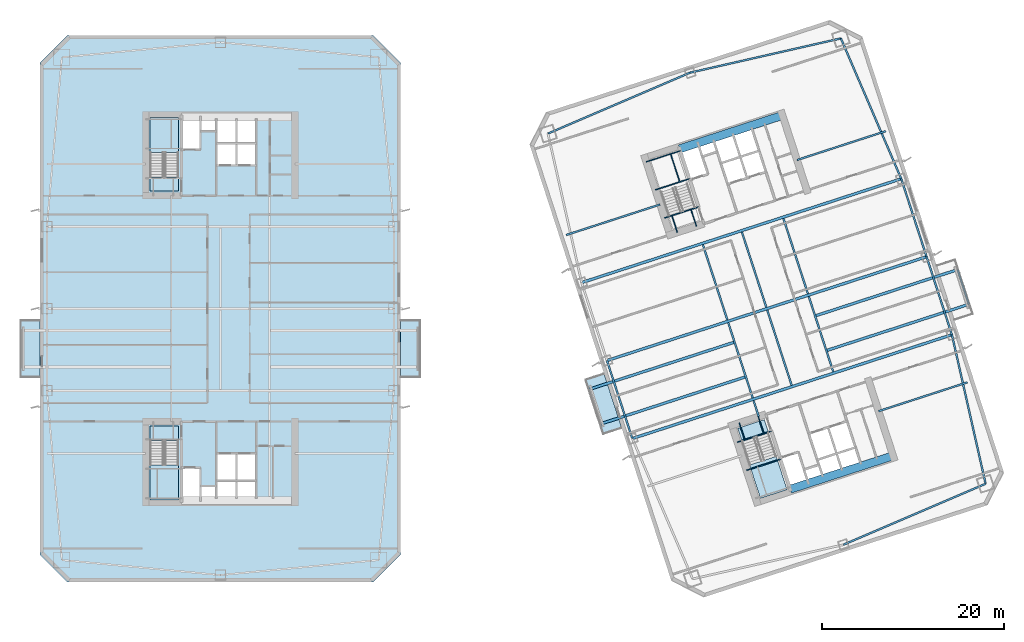
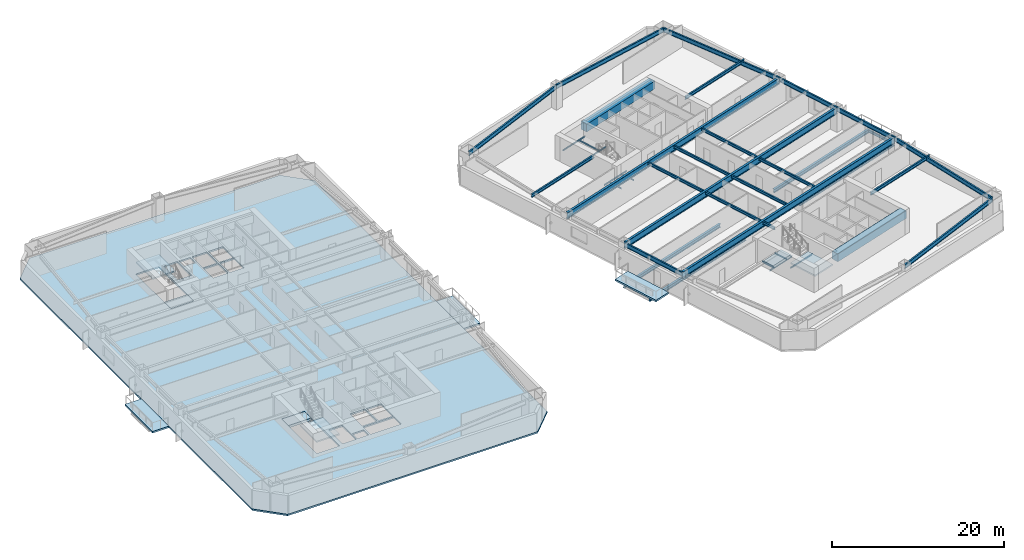
# One storey, part 2 of 18: 38 beams, 10 slabs, 3 elements without a shape of their own.
"""IFC4 building model written with IfcOpenShell, lengths in metres."""

from ifc_helpers import new_model, si_unit, direction, frame, origin, origin_2d, place, context, subcontext, project, spatial, polyline, rectangle, i_section, outline, extrude, material, layer, layer_set, material_profile, profile_set, type_object, element, aggregate, save


model = new_model("IFC4")

# Units and contexts
model_context = context("Model", 3, precision=1e-05, world=origin(), true_north=direction((0.0, 1.0)))
body_context = subcontext(model_context, "Body", "Model", "MODEL_VIEW")
ifc_project = project(units=[si_unit("LENGTHUNIT", "METRE"), si_unit("AREAUNIT", "SQUARE_METRE"), si_unit("VOLUMEUNIT", "CUBIC_METRE"), si_unit("PLANEANGLEUNIT", "RADIAN"), si_unit("MASSUNIT", "GRAM", prefix="KILO")], contexts=[model_context])

# Site, building, storey
site_placement = place(None, origin())
site = spatial("IfcSite", under=ifc_project, at=site_placement, CompositionType="ELEMENT")
building_placement = place(site_placement, origin())
building = spatial("IfcBuilding", under=site, at=building_placement, Name="Qiaolan Cultural Towers", CompositionType="ELEMENT")
storey_placement = place(building_placement, frame((0.0, 0.0, 67.85009765625)))
storey = spatial("IfcBuildingStorey", under=building, at=storey_placement, Name="L16", CompositionType="ELEMENT", Elevation=67.85009765625)

# Beams
ifc_material_1 = material(Name="Steel Q355B", Category="steel")
ifc_material_profile_1 = material_profile(ifc_material_1, i_section(OverallWidth=0.300048828125, OverallDepth=0.488037109375, WebThickness=0.010986328125, FlangeThickness=0.01806640625, at=origin_2d()), Name="HM488x300x11x18")
ifc_profile_set_1 = profile_set([ifc_material_profile_1], Name="Steel Q355B")
beam_type_1 = type_object("IfcBeamType", Name="BM-HM488x300x11x18", PredefinedType="BEAM", material=ifc_profile_set_1)
for number, where, z_axis, x_axis, name in (
    (1, (87.697998046875, 26.522705078125, -0.524169921875), (-0.951056559899, -0.309016860175, 0.0), (0.309016860175, -0.951056559899, 0.0), "L16 T2 Tree Balcony Back-Spanned Bracket Beam"),
    (2, (86.4619140625, 30.326904296875, -0.524169921875), (-0.951056559899, -0.309016860175, 0.0), (0.309016860175, -0.951056559899, 0.0), "L16 T2 Tree Balcony Back-Spanned Bracket Beam"),
):
    element("IfcBeam", number, at=place(storey_placement, frame(where, z_axis=z_axis, x_axis=x_axis)), inside=storey, type_object=beam_type_1, Name=name, PredefinedType="BEAM", context=body_context, shape_type="SweptSolid", body=[
        extrude(i_section(OverallWidth=0.300048828125, OverallDepth=0.488037109375, WebThickness=0.010986328125, FlangeThickness=0.01806640625, at=origin_2d()), origin(), (0.0, 0.0, 1.0), 16.75),
    ])
for number, where, z_axis, x_axis, name in (
    (3, (96.542724609375, 29.396484375, -0.524169921875), (0.951058714476, 0.309010228989, 0.0), (-0.309010228989, 0.951058714476, 0.0), "L16 T2 Tree Balcony Back-Spanned Bracket Beam"),
    (4, (95.306640625, 33.20068359375, -0.524169921875), (0.951054352744, 0.30902365302, 0.0), (-0.30902365302, 0.951054352744, 0.0), "L16 T2 Tree Balcony Back-Spanned Bracket Beam"),
):
    element("IfcBeam", number, at=place(storey_placement, frame(where, z_axis=z_axis, x_axis=x_axis)), inside=storey, type_object=beam_type_1, Name=name, PredefinedType="BEAM", context=body_context, shape_type="SweptSolid", body=[
        extrude(i_section(OverallWidth=0.300048828125, OverallDepth=0.488037109375, WebThickness=0.010986328125, FlangeThickness=0.01806640625, at=origin_2d()), origin(), (0.0, 0.0, 1.0), 16.4501953125),
    ])
ifc_material_2 = material(Name="Steel Q355B", Category="steel")
ifc_material_profile_2 = material_profile(ifc_material_2, i_section(OverallWidth=0.300048828125, OverallDepth=0.89990234375, WebThickness=0.01611328125, FlangeThickness=0.028076171875, at=origin_2d()), Name="HN900x300x16x28")
ifc_profile_set_2 = profile_set([ifc_material_profile_2], Name="Steel Q355B")
beam_type_2 = type_object("IfcBeamType", Name="BM-HN900x300x16x28", PredefinedType="BEAM", material=ifc_profile_set_2)
beam_1_placement = place(storey_placement, frame((75.234130859375, 19.739013671875, 2.739990234375), z_axis=(0.951055702987, 0.309019497469, 0.0), x_axis=(-0.309019497469, 0.951055702987, 0.0)))
element("IfcBeam", 5, at=beam_1_placement, inside=storey, type_object=beam_type_2, Name="L16 T2 Primary Transverse Girder V1", PredefinedType="BEAM", context=body_context, shape_type="SweptSolid", body=[
    extrude(i_section(OverallWidth=0.300048828125, OverallDepth=0.89990234375, WebThickness=0.01611328125, FlangeThickness=0.028076171875, at=origin_2d()), origin(), (0.0, 0.0, 1.0), 36.900146484375),
])
beam_2_placement = place(storey_placement, frame((72.453125, 28.298583984375, 2.739990234375), z_axis=(0.951055071173, 0.309021441968, 0.0), x_axis=(-0.309021441968, 0.951055071173, 0.0)))
element("IfcBeam", 6, at=beam_2_placement, inside=storey, type_object=beam_type_2, Name="L16 T2 Primary Transverse Girder V2", PredefinedType="BEAM", context=body_context, shape_type="SweptSolid", body=[
    extrude(i_section(OverallWidth=0.300048828125, OverallDepth=0.89990234375, WebThickness=0.01611328125, FlangeThickness=0.028076171875, at=origin_2d()), origin(), (0.0, 0.0, 1.0), 36.89990234375),
])
beam_3_placement = place(storey_placement, frame((69.671875, 36.858154296875, 2.739990234375), z_axis=(0.951055702987, 0.309019497469, 0.0), x_axis=(-0.309019497469, 0.951055702987, 0.0)))
element("IfcBeam", 7, at=beam_3_placement, inside=storey, type_object=beam_type_2, Name="L16 T2 Primary Transverse Girder V3", PredefinedType="BEAM", context=body_context, shape_type="SweptSolid", body=[
    extrude(i_section(OverallWidth=0.300048828125, OverallDepth=0.89990234375, WebThickness=0.01611328125, FlangeThickness=0.028076171875, at=origin_2d()), origin(), (0.0, 0.0, 1.0), 36.900146484375),
])
ifc_material_3 = material(Name="Steel Q355B", Category="steel")
ifc_material_profile_3 = material_profile(ifc_material_3, i_section(OverallWidth=0.175048828125, OverallDepth=0.35009765625, WebThickness=0.007080078125, FlangeThickness=0.010986328125, at=origin_2d()), Name="HN350x175x7x11")
ifc_profile_set_3 = profile_set([ifc_material_profile_3], Name="Steel Q355B")
beam_type_3 = type_object("IfcBeamType", Name="BM-JST-HN350x175x7x11", PredefinedType="JOIST", material=ifc_profile_set_3)
beam_4_placement = place(storey_placement, frame((112.187744140625, 34.479736328125, -0.524169921875), z_axis=(-0.3090046493, 0.951060527364, 0.0), x_axis=(-0.951060527364, -0.3090046493, 0.0)))
element("IfcBeam", 8, at=beam_4_placement, inside=storey, type_object=beam_type_3, Name="L16 T2 Tree Balcony Outer Edge Beam", PredefinedType="JOIST", context=body_context, shape_type="SweptSolid", body=[
    extrude(i_section(OverallWidth=0.175048828125, OverallDepth=0.35009765625, WebThickness=0.007080078125, FlangeThickness=0.010986328125, at=origin_2d()), origin(), (0.0, 0.0, 1.0), 4.000244140625),
])
ifc_material_4 = material(Name="Steel Q355B", Category="steel")
ifc_material_profile_4 = material_profile(ifc_material_4, i_section(OverallWidth=0.199951171875, OverallDepth=0.39990234375, WebThickness=0.008056640625, FlangeThickness=0.012939453125, at=origin_2d()), Name="HN400x200x8x13")
ifc_profile_set_4 = profile_set([ifc_material_profile_4], Name="Steel Q355B")
beam_type_4 = type_object("IfcBeamType", Name="BM-JST-HN400x200x8x13", PredefinedType="JOIST", material=ifc_profile_set_4)
beam_5_placement = place(storey_placement, frame((89.119384765625, 22.147705078125, 2.989990234375), z_axis=(-0.308933885266, 0.951083516067, 0.0), x_axis=(-0.951083516067, -0.308933885266, 0.0)))
element("IfcBeam", 9, at=beam_5_placement, inside=storey, type_object=beam_type_4, Name="L16 T2 Secondary Floor Joist U1-1", PredefinedType="JOIST", context=body_context, shape_type="SweptSolid", body=[
    extrude(i_section(OverallWidth=0.199951171875, OverallDepth=0.39990234375, WebThickness=0.008056640625, FlangeThickness=0.012939453125, at=origin_2d()), origin(), (0.0, 0.0, 1.0), 1.85009765625),
])
for number, where, z_axis, x_axis, name in (
    (10, (88.455078125, 24.192626953125, 2.989990234375), (-0.309020714809, 0.951055307445, 0.0), (-0.951055307445, -0.309020714809, 0.0), "L16 T2 Secondary Floor Joist U1-2"),
    (11, (85.673828125, 32.752197265625, 2.989990234375), (-0.309020714809, 0.951055307445, 0.0), (-0.951055307445, -0.309020714809, 0.0), "L16 T2 Secondary Floor Joist U1-3"),
    (12, (92.73486328125, 25.583251953125, 2.989990234375), (-0.309020714809, 0.951055307445, 0.0), (-0.951055307445, -0.309020714809, 0.0), "L16 T2 Secondary Floor Joist U2-2"),
    (13, (89.95361328125, 34.142578125, 2.989990234375), (-0.309020714809, 0.951055307445, 0.0), (-0.951055307445, -0.309020714809, 0.0), "L16 T2 Secondary Floor Joist U2-3"),
    (14, (97.2998046875, 27.06640625, 2.989990234375), (-0.309020714809, 0.951055307445, 0.0), (-0.951055307445, -0.309020714809, 0.0), "L16 T2 Secondary Floor Joist U3-2"),
    (15, (94.518798828125, 35.6259765625, 2.989990234375), (-0.309020714809, 0.951055307445, 0.0), (-0.951055307445, -0.309020714809, 0.0), "L16 T2 Secondary Floor Joist U3-3"),
):
    element("IfcBeam", number, at=place(storey_placement, frame(where, z_axis=z_axis, x_axis=x_axis)), inside=storey, type_object=beam_type_4, Name=name, PredefinedType="JOIST", context=body_context, shape_type="SweptSolid", body=[
        extrude(i_section(OverallWidth=0.199951171875, OverallDepth=0.39990234375, WebThickness=0.008056640625, FlangeThickness=0.012939453125, at=origin_2d()), origin(), (0.0, 0.0, 1.0), 8.699951171875),
    ])
ifc_material_5 = material(Name="Steel Q355B", Category="steel")
ifc_material_profile_5 = material_profile(ifc_material_5, i_section(OverallWidth=0.199951171875, OverallDepth=0.449951171875, WebThickness=0.009033203125, FlangeThickness=0.013916015625, at=origin_2d()), Name="HN450x200x9x14")
ifc_profile_set_5 = profile_set([ifc_material_profile_5], Name="Steel Q355B")
beam_type_5 = type_object("IfcBeamType", Name="BM-LNT-HN450x200x9x14", PredefinedType="LINTEL", material=ifc_profile_set_5)
beam_6_placement = place(storey_placement, frame((78.291259765625, 45.44189453125, 2.96484375), z_axis=(-0.951052421511, -0.309029596542, 0.0), x_axis=(0.309029596542, -0.951052421511, 0.0)))
element("IfcBeam", 16, at=beam_6_placement, inside=storey, type_object=beam_type_5, Name="L16 T2 Core Flank Tie Lintel WN", PredefinedType="LINTEL", context=body_context, shape_type="SweptSolid", body=[
    extrude(i_section(OverallWidth=0.199951171875, OverallDepth=0.449951171875, WebThickness=0.009033203125, FlangeThickness=0.013916015625, at=origin_2d()), origin(), (0.0, 0.0, 1.0), 10.85009765625),
])
beam_7_placement = place(storey_placement, frame((102.279296875, 22.74365234375, 2.96484375), z_axis=(0.951056820587, 0.309016057859, 0.0), x_axis=(-0.309016057859, 0.951056820587, 0.0)))
element("IfcBeam", 17, at=beam_7_placement, inside=storey, type_object=beam_type_5, Name="L16 T2 Core Flank Tie Lintel ES", PredefinedType="LINTEL", context=body_context, shape_type="SweptSolid", body=[
    extrude(i_section(OverallWidth=0.199951171875, OverallDepth=0.449951171875, WebThickness=0.009033203125, FlangeThickness=0.013916015625, at=origin_2d()), origin(), (0.0, 0.0, 1.0), 10.250244140625),
])
beam_8_placement = place(storey_placement, frame((93.31787109375, 50.32421875, 2.96484375), z_axis=(0.951054546097, 0.309023057955, 0.0), x_axis=(-0.309023057955, 0.951054546097, 0.0)))
element("IfcBeam", 18, at=beam_8_placement, inside=storey, type_object=beam_type_5, Name="L16 T2 Core Flank Tie Lintel EN", PredefinedType="LINTEL", context=body_context, shape_type="SweptSolid", body=[
    extrude(i_section(OverallWidth=0.199951171875, OverallDepth=0.449951171875, WebThickness=0.009033203125, FlangeThickness=0.013916015625, at=origin_2d()), origin(), (0.0, 0.0, 1.0), 10.25),
])
ifc_material_6 = material(Name="Concrete C50", Category="concrete")
ifc_material_profile_6 = material_profile(ifc_material_6, rectangle(XDim=0.89990234375, YDim=1.10009765625, at=origin_2d()), Name="RC900x1100")
ifc_profile_set_6 = profile_set([ifc_material_profile_6], Name="Concrete C50")
beam_type_6 = type_object("IfcBeamType", Name="BM-RC900x1100", PredefinedType="BEAM", material=ifc_profile_set_6)
for number, where, z_axis, x_axis, name in (
    (19, (92.572265625, 14.174560546875, 2.639892578125), (0.951056266386, 0.309017763514, 0.0), (-0.309017763514, 0.951056266386, 0.0), "L16 T2 Core Header Girder S"),
    (20, (80.427978515625, 51.551025390625, 2.639892578125), (0.951056266386, 0.309017763514, 0.0), (-0.309017763514, 0.951056266386, 0.0), "L16 T2 Core Header Girder N"),
):
    element("IfcBeam", number, at=place(storey_placement, frame(where, z_axis=z_axis, x_axis=x_axis)), inside=storey, type_object=beam_type_6, Name=name, PredefinedType="BEAM", context=body_context, shape_type="SweptSolid", body=[
        extrude(rectangle(XDim=0.89990234375, YDim=1.10009765625, at=origin_2d()), origin(), (0.0, 0.0, 1.0), 11.880126953125),
    ])
ifc_material_7 = material(Name="Steel Q355B", Category="steel")
ifc_material_profile_7 = material_profile(ifc_material_7, i_section(OverallWidth=0.199951171875, OverallDepth=0.60009765625, WebThickness=0.010986328125, FlangeThickness=0.01708984375, at=origin_2d()), Name="HN600x200x11x17")
ifc_profile_set_7 = profile_set([ifc_material_profile_7], Name="Steel Q355B")
beam_type_7 = type_object("IfcBeamType", Name="BM-SPD-HN600x200x11x17", PredefinedType="SPANDREL", material=ifc_profile_set_7)
beam_9_placement = place(storey_placement, frame((98.420654296875, 8.083740234375, 2.889892578125), z_axis=(0.919108584923, 0.394004326272, 0.0), x_axis=(-0.394004326272, 0.919108584923, 0.0)))
element("IfcBeam", 21, at=beam_9_placement, inside=storey, type_object=beam_type_7, Name="L16 T2 Perimeter Spandrel Beam 2", PredefinedType="SPANDREL", context=body_context, shape_type="SweptSolid", body=[
    extrude(i_section(OverallWidth=0.199951171875, OverallDepth=0.60009765625, WebThickness=0.010986328125, FlangeThickness=0.01708984375, at=origin_2d()), origin(), (0.0, 0.0, 1.0), 16.97998046875),
])
beam_10_placement = place(storey_placement, frame((114.027099609375, 14.77392578125, 2.889892578125), z_axis=(-0.220430557386, 0.975402670373, 0.0), x_axis=(-0.975402670373, -0.220430557386, 0.0)))
element("IfcBeam", 22, at=beam_10_placement, inside=storey, type_object=beam_type_7, Name="L16 T2 Perimeter Spandrel Beam 3", PredefinedType="SPANDREL", context=body_context, shape_type="SweptSolid", body=[
    extrude(i_section(OverallWidth=0.199951171875, OverallDepth=0.60009765625, WebThickness=0.010986328125, FlangeThickness=0.01708984375, at=origin_2d()), origin(), (0.0, 0.0, 1.0), 16.78076171875),
])
for number, where, z_axis, x_axis, name in (
    (23, (110.328125, 31.141845703125, 2.889892578125), (-0.309024734286, 0.951054001411, 0.0), (-0.951054001411, -0.309024734286, 0.0), "L16 T2 Perimeter Spandrel Beam 4"),
    (24, (107.546875, 39.701416015625, 2.889892578125), (-0.309000197986, 0.951061973609, 0.0), (-0.951061973609, -0.309000197986, 0.0), "L16 T2 Perimeter Spandrel Beam 5"),
):
    element("IfcBeam", number, at=place(storey_placement, frame(where, z_axis=z_axis, x_axis=x_axis)), inside=storey, type_object=beam_type_7, Name=name, PredefinedType="SPANDREL", context=body_context, shape_type="SweptSolid", body=[
        extrude(i_section(OverallWidth=0.199951171875, OverallDepth=0.60009765625, WebThickness=0.010986328125, FlangeThickness=0.01708984375, at=origin_2d()), origin(), (0.0, 0.0, 1.0), 9.0),
    ])
beam_11_placement = place(storey_placement, frame((104.765869140625, 48.260986328125, 2.889892578125), z_axis=(-0.394998896054, 0.918681594524, 0.0), x_axis=(-0.918681594524, -0.394998896054, 0.0)))
element("IfcBeam", 25, at=beam_11_placement, inside=storey, type_object=beam_type_7, Name="L16 T2 Perimeter Spandrel Beam 6", PredefinedType="SPANDREL", context=body_context, shape_type="SweptSolid", body=[
    extrude(i_section(OverallWidth=0.199951171875, OverallDepth=0.60009765625, WebThickness=0.010986328125, FlangeThickness=0.01708984375, at=origin_2d()), origin(), (0.0, 0.0, 1.0), 16.78076171875),
])
for number, where, z_axis, x_axis, name in (
    (26, (98.137451171875, 63.67724609375, 2.889892578125), (-0.975161095889, -0.221496810506, 0.0), (0.221496810506, -0.975161095889, 0.0), "L16 T2 Perimeter Spandrel Beam 7"),
    (27, (81.579345703125, 59.916259765625, 2.889892578125), (-0.919108584923, -0.394004326272, 0.0), (0.394004326272, -0.919108584923, 0.0), "L16 T2 Perimeter Spandrel Beam 8"),
):
    element("IfcBeam", number, at=place(storey_placement, frame(where, z_axis=z_axis, x_axis=x_axis)), inside=storey, type_object=beam_type_7, Name=name, PredefinedType="SPANDREL", context=body_context, shape_type="SweptSolid", body=[
        extrude(i_section(OverallWidth=0.199951171875, OverallDepth=0.60009765625, WebThickness=0.010986328125, FlangeThickness=0.01708984375, at=origin_2d()), origin(), (0.0, 0.0, 1.0), 16.97998046875),
    ])
beam_12_placement = place(storey_placement, frame((72.453125, 28.298583984375, 2.889892578125), z_axis=(0.309000197986, -0.951061973609, 0.0), x_axis=(0.951061973609, 0.309000197986, 0.0)))
element("IfcBeam", 28, at=beam_12_placement, inside=storey, type_object=beam_type_7, Name="L16 T2 Perimeter Spandrel Beam 11", PredefinedType="SPANDREL", context=body_context, shape_type="SweptSolid", body=[
    extrude(i_section(OverallWidth=0.199951171875, OverallDepth=0.60009765625, WebThickness=0.010986328125, FlangeThickness=0.01708984375, at=origin_2d()), origin(), (0.0, 0.0, 1.0), 9.0),
])
ifc_material_8 = material(Name="Steel Q355B", Category="steel")
ifc_material_profile_8 = material_profile(ifc_material_8, i_section(OverallWidth=0.10009765625, OverallDepth=0.199951171875, WebThickness=0.005615234375, FlangeThickness=0.008056640625, at=origin_2d()), Name="HN200x100x5.5x8")
ifc_profile_set_8 = profile_set([ifc_material_profile_8], Name="Steel Q355B")
beam_type_8 = type_object("IfcBeamType", Name="BM-STTRIM-200", PredefinedType="BEAM", material=ifc_profile_set_8)
beam_13_placement = place(storey_placement, frame((86.770751953125, 19.3447265625, -0.460205078125), z_axis=(0.951047798727, 0.309043823005, 0.0), x_axis=(-0.309043823005, 0.951047798727, 0.0)))
element("IfcBeam", 29, at=beam_13_placement, inside=storey, type_object=beam_type_8, Name="L16 ST-E1 Floor Landing Header Beam", PredefinedType="BEAM", context=body_context, shape_type="SweptSolid", body=[
    extrude(i_section(OverallWidth=0.10009765625, OverallDepth=0.199951171875, WebThickness=0.005615234375, FlangeThickness=0.008056640625, at=origin_2d()), origin(), (0.0, 0.0, 1.0), 3.919921875),
])
for number, where, z_axis, x_axis, name in (
    (30, (86.9794921875, 21.452392578125, -0.460205078125), (0.309083226701, -0.951034993558, 0.0), (0.951034993558, 0.309083226701, 0.0), "L16 ST-E1 Floor Landing Stringer 1"),
    (31, (89.07177734375, 22.13232421875, -0.460205078125), (0.309083226701, -0.951034993558, 0.0), (0.951034993558, 0.309083226701, 0.0), "L16 ST-E1 Floor Landing Stringer 2"),
):
    element("IfcBeam", number, at=place(storey_placement, frame(where, z_axis=z_axis, x_axis=x_axis)), inside=storey, type_object=beam_type_8, Name=name, PredefinedType="BEAM", context=body_context, shape_type="SweptSolid", body=[
        extrude(i_section(OverallWidth=0.10009765625, OverallDepth=0.199951171875, WebThickness=0.005615234375, FlangeThickness=0.008056640625, at=origin_2d()), origin(), (0.0, 0.0, 1.0), 1.93994140625),
    ])
beam_14_placement = place(storey_placement, frame((87.774658203125, 16.255126953125, 1.4248046875), z_axis=(0.951047798727, 0.309043823005, 0.0), x_axis=(-0.309043823005, 0.951047798727, 0.0)))
element("IfcBeam", 32, at=beam_14_placement, inside=storey, type_object=beam_type_8, Name="L16 ST-E1 Stair Landing Support Beam 1-1", PredefinedType="BEAM", context=body_context, shape_type="SweptSolid", body=[
    extrude(i_section(OverallWidth=0.10009765625, OverallDepth=0.199951171875, WebThickness=0.005615234375, FlangeThickness=0.008056640625, at=origin_2d()), origin(), (0.0, 0.0, 1.0), 3.919921875),
])
beam_15_placement = place(storey_placement, frame((78.773193359375, 43.958251953125, -0.460205078125), z_axis=(0.951072048947, 0.3089691857, 0.0), x_axis=(-0.3089691857, 0.951072048947, 0.0)))
element("IfcBeam", 33, at=beam_15_placement, inside=storey, type_object=beam_type_8, Name="L16 ST-E2 Floor Landing Header Beam", PredefinedType="BEAM", context=body_context, shape_type="SweptSolid", body=[
    extrude(i_section(OverallWidth=0.10009765625, OverallDepth=0.199951171875, WebThickness=0.005615234375, FlangeThickness=0.008056640625, at=origin_2d()), origin(), (0.0, 0.0, 1.0), 3.920166015625),
])
for number, where, z_axis, x_axis, name in (
    (34, (80.18115234375, 42.375732421875, -0.460205078125), (-0.308969394428, 0.951071981138, 0.0), (-0.951071981138, -0.308969394428, 0.0), "L16 ST-E2 Floor Landing Stringer 1"),
    (35, (82.2734375, 43.0556640625, -0.460205078125), (-0.308969394428, 0.951071981138, 0.0), (-0.951071981138, -0.308969394428, 0.0), "L16 ST-E2 Floor Landing Stringer 2"),
):
    element("IfcBeam", number, at=place(storey_placement, frame(where, z_axis=z_axis, x_axis=x_axis)), inside=storey, type_object=beam_type_8, Name=name, PredefinedType="BEAM", context=body_context, shape_type="SweptSolid", body=[
        extrude(i_section(OverallWidth=0.10009765625, OverallDepth=0.199951171875, WebThickness=0.005615234375, FlangeThickness=0.008056640625, at=origin_2d()), origin(), (0.0, 0.0, 1.0), 1.93994140625),
    ])
for number, where, z_axis, x_axis, name in (
    (36, (77.769287109375, 47.0478515625, 1.4248046875), (0.951053746643, 0.309025518358, 0.0), (-0.309025518358, 0.951053746643, 0.0), "L16 ST-E2 Stair Landing Support Beam 1-1"),
    (37, (76.770751953125, 50.12109375, 1.4248046875), (0.951072048947, 0.3089691857, 0.0), (-0.3089691857, 0.951072048947, 0.0), "L16 ST-E2 Stair Landing Support Beam 1-2"),
):
    element("IfcBeam", number, at=place(storey_placement, frame(where, z_axis=z_axis, x_axis=x_axis)), inside=storey, type_object=beam_type_8, Name=name, PredefinedType="BEAM", context=body_context, shape_type="SweptSolid", body=[
        extrude(i_section(OverallWidth=0.10009765625, OverallDepth=0.199951171875, WebThickness=0.005615234375, FlangeThickness=0.008056640625, at=origin_2d()), origin(), (0.0, 0.0, 1.0), 3.920166015625),
    ])
beam_16_placement = place(storey_placement, frame((80.44189453125, 47.916259765625, 1.4248046875), z_axis=(-0.309033108495, 0.951051280349, 0.0), x_axis=(-0.951051280349, -0.309033108495, 0.0)))
element("IfcBeam", 38, at=beam_16_placement, inside=storey, type_object=beam_type_8, Name="L16 ST-E2 Stair Landing Trimmer 1", PredefinedType="BEAM", context=body_context, shape_type="SweptSolid", body=[
    extrude(i_section(OverallWidth=0.10009765625, OverallDepth=0.199951171875, WebThickness=0.005615234375, FlangeThickness=0.008056640625, at=origin_2d()), origin(), (0.0, 0.0, 1.0), 3.231201171875),
])

# Slabs
ifc_material_9 = material(Name="Concrete C45", Category="concrete")
ifc_layer_1 = layer(ifc_material_9, 0.239990234375)
ifc_layer_set_1 = layer_set([ifc_layer_1], Name="Concrete C45")
slab_type_1 = type_object("IfcSlabType", Name="SL-BAL-240", PredefinedType="FLOOR", material=ifc_layer_set_1)
slab_1_placement = place(storey_placement, frame((0.0, 0.0, -0.239990234375)))
element("IfcSlab", 39, at=slab_1_placement, inside=storey, type_object=slab_type_1, Name="L16 T1 Planted Tree Balcony W", PredefinedType="FLOOR", context=body_context, shape_type="SweptSolid", body=[
    extrude(outline(polyline([(8.0, 26.39990234375), (10.199951171875, 26.39990234375), (10.199951171875, 32.800048828125), (8.0, 32.800048828125), (8.0, 26.39990234375)])), origin(), (0.0, 0.0, 1.0), 0.239990234375),
])
slab_2_placement = place(storey_placement, frame((0.0, 0.0, -0.239990234375)))
element("IfcSlab", 40, at=slab_2_placement, inside=storey, type_object=slab_type_1, Name="L16 T1 Planted Tree Balcony E", PredefinedType="FLOOR", context=body_context, shape_type="SweptSolid", body=[
    extrude(outline(polyline([(49.800048828125, 26.39990234375), (52.0, 26.39990234375), (52.0, 32.800048828125), (49.800048828125, 32.800048828125), (49.800048828125, 26.39990234375)])), origin(), (0.0, 0.0, 1.0), 0.239990234375),
])
slab_3_placement = place(storey_placement, frame((0.0, 0.0, -0.239990234375)))
element("IfcSlab", 41, at=slab_3_placement, inside=storey, type_object=slab_type_1, Name="L16 T2 Planted Tree Balcony W", PredefinedType="FLOOR", context=body_context, shape_type="SweptSolid", body=[
    extrude(outline(polyline([(71.995849609375, 20.158935546875), (74.088134765625, 20.8388671875), (72.110595703125, 26.925537109375), (70.018310546875, 26.245849609375), (71.995849609375, 20.158935546875)])), origin(), (0.0, 0.0, 1.0), 0.239990234375),
])

# Stair, slab
ifc_material_10 = material(Name="Concrete C45", Category="concrete")
stair_type = type_object("IfcStairType", Name="STR-CORE-1500", PredefinedType="HALF_TURN_STAIR", material=ifc_material_10)
stair_1_placement = place(storey_placement, origin())
stair_1 = element("IfcStair", 42, at=stair_1_placement, inside=storey, type_object=stair_type, Name="L16 Smokeproof Exit Stair ST-W1", PredefinedType="HALF_TURN_STAIR")
ifc_material_11 = material(Name="Concrete C45", Category="concrete")
ifc_layer_2 = layer(ifc_material_11, 0.199951171875)
ifc_layer_set_2 = layer_set([ifc_layer_2], Name="Concrete C45")
slab_type_2 = type_object("IfcSlabType", Name="SL-STAIR-LAND", PredefinedType="LANDING", material=ifc_layer_set_2)
slab_4_placement = place(storey_placement, frame((0.0, 0.0, 1.52490234375)))
slab_4 = element("IfcSlab", 43, at=slab_4_placement, type_object=slab_type_2, Name="ST-W1 landing 1", PredefinedType="LANDING", context=body_context, shape_type="SweptSolid", body=[
    extrude(outline(polyline([(22.300048828125, 16.851318359375), (22.300048828125, 13.0), (25.3798828125, 13.0), (25.3798828125, 16.851318359375), (22.300048828125, 16.851318359375)])), origin(), (0.0, 0.0, 1.0), 0.199951171875),
])
aggregate(stair_1, [slab_4])

stair_2_placement = place(storey_placement, origin())
stair_2 = element("IfcStair", 44, at=stair_2_placement, inside=storey, type_object=stair_type, Name="L16 Smokeproof Exit Stair ST-W2", PredefinedType="HALF_TURN_STAIR")
slab_5_placement = place(storey_placement, frame((0.0, 0.0, 1.52490234375)))
slab_5 = element("IfcSlab", 45, at=slab_5_placement, type_object=slab_type_2, Name="ST-W2 landing 1", PredefinedType="LANDING", context=body_context, shape_type="SweptSolid", body=[
    extrude(outline(polyline([(25.3798828125, 51.148681640625), (25.3798828125, 55.0), (22.300048828125, 55.0), (22.300048828125, 51.148681640625), (25.3798828125, 51.148681640625)])), origin(), (0.0, 0.0, 1.0), 0.199951171875),
])
aggregate(stair_2, [slab_5])

stair_3_placement = place(storey_placement, origin())
stair_3 = element("IfcStair", 46, at=stair_3_placement, inside=storey, type_object=stair_type, Name="L16 Smokeproof Exit Stair ST-E1", PredefinedType="HALF_TURN_STAIR")
slab_6_placement = place(storey_placement, frame((0.0, 0.0, 1.52490234375)))
slab_6 = element("IfcSlab", 47, at=slab_6_placement, type_object=slab_type_2, Name="ST-E1 landing 1", PredefinedType="LANDING", context=body_context, shape_type="SweptSolid", body=[
    extrude(outline(polyline([(88.114013671875, 16.828125), (89.30419921875, 13.165283203125), (92.2333984375, 14.116943359375), (91.04345703125, 17.77978515625), (88.114013671875, 16.828125)])), origin(), (0.0, 0.0, 1.0), 0.199951171875),
])
aggregate(stair_3, [slab_6])

# Slabs
ifc_material_12 = material(Name="Concrete C40", Category="concrete")
ifc_layer_3 = layer(ifc_material_12, 0.360107421875)
ifc_layer_set_3 = layer_set([ifc_layer_3], Name="Concrete C40")
slab_type_3 = type_object("IfcSlabType", Name="SL-STFLR-360", PredefinedType="LANDING", material=ifc_layer_set_3)
slab_7_placement = place(storey_placement, frame((0.0, 0.0, -0.360107421875)))
element("IfcSlab", 48, at=slab_7_placement, inside=storey, type_object=slab_type_3, Name="L16 ST-W1 Stair Floor Landing Slab", PredefinedType="LANDING", context=body_context, shape_type="SweptSolid", body=[
    extrude(outline(polyline([(22.302001953125, 21.097900390625), (22.302001953125, 19.548583984375), (25.3779296875, 19.548583984375), (25.3779296875, 21.097900390625), (22.302001953125, 21.097900390625)])), origin(), (0.0, 0.0, 1.0), 0.360107421875),
])
slab_8_placement = place(storey_placement, frame((0.0, 0.0, -0.360107421875)))
element("IfcSlab", 49, at=slab_8_placement, inside=storey, type_object=slab_type_3, Name="L16 ST-W2 Stair Floor Landing Slab", PredefinedType="LANDING", context=body_context, shape_type="SweptSolid", body=[
    extrude(outline(polyline([(25.3779296875, 46.902099609375), (25.3779296875, 48.451416015625), (22.302001953125, 48.451416015625), (22.302001953125, 46.902099609375), (25.3779296875, 46.902099609375)])), origin(), (0.0, 0.0, 1.0), 0.360107421875),
])
slab_9_placement = place(storey_placement, frame((0.0, 0.0, -0.360107421875)))
element("IfcSlab", 50, at=slab_9_placement, inside=storey, type_object=slab_type_3, Name="L16 ST-E1 Stair Floor Landing Slab", PredefinedType="LANDING", context=body_context, shape_type="SweptSolid", body=[
    extrude(outline(polyline([(86.8037109375, 20.867431640625), (87.282470703125, 19.39404296875), (90.2080078125, 20.3447265625), (89.729248046875, 21.818115234375), (86.8037109375, 20.867431640625)])), origin(), (0.0, 0.0, 1.0), 0.360107421875),
])
ifc_material_13 = material(Name="Concrete C45", Category="concrete")
ifc_layer_4 = layer(ifc_material_13, 0.219970703125)
ifc_layer_set_4 = layer_set([ifc_layer_4], Name="Concrete C45")
slab_type_4 = type_object("IfcSlabType", Name="SL-TYP-220", PredefinedType="FLOOR", material=ifc_layer_set_4)
slab_10_placement = place(storey_placement, frame((0.0, 0.0, -0.22021484375)))
element("IfcSlab", 51, at=slab_10_placement, inside=storey, type_object=slab_type_4, Name="L16 West Tower Floor Slab", PredefinedType="FLOOR", context=body_context, shape_type="SweptSolid", body=[
    extrude(outline(polyline([(13.199951171875, 4.0), (46.800048828125, 4.0), (49.800048828125, 7.0), (49.800048828125, 61.0), (46.800048828125, 64.0), (13.199951171875, 64.0), (10.199951171875, 61.0), (10.199951171875, 7.0), (13.199951171875, 4.0)]), holes=[polyline([(22.300048828125, 21.10009765625), (22.300048828125, 13.0), (25.3798828125, 13.0), (25.3798828125, 21.10009765625), (22.300048828125, 21.10009765625)]), polyline([(25.3798828125, 46.89990234375), (25.3798828125, 55.0), (22.300048828125, 55.0), (22.300048828125, 46.89990234375), (25.3798828125, 46.89990234375)]), polyline([(25.89990234375, 13.199951171875), (27.75, 13.199951171875), (27.75, 16.449951171875), (25.89990234375, 16.449951171875), (25.89990234375, 13.199951171875)]), polyline([(27.93994140625, 13.25), (29.449951171875, 13.25), (29.449951171875, 14.419921875), (27.93994140625, 14.419921875), (27.93994140625, 13.25)]), polyline([(29.679931640625, 15.199951171875), (31.679931640625, 15.199951171875), (31.679931640625, 18.0), (29.679931640625, 18.0), (29.679931640625, 15.199951171875)]), polyline([(31.8798828125, 15.199951171875), (33.820068359375, 15.199951171875), (33.820068359375, 18.0), (31.8798828125, 18.0), (31.8798828125, 15.199951171875)]), polyline([(29.679931640625, 13.25), (33.820068359375, 13.25), (33.820068359375, 14.97998046875), (29.679931640625, 14.97998046875), (29.679931640625, 13.25)]), polyline([(25.89990234375, 51.550048828125), (27.75, 51.550048828125), (27.75, 54.800048828125), (25.89990234375, 54.800048828125), (25.89990234375, 51.550048828125)]), polyline([(27.93994140625, 53.580078125), (29.449951171875, 53.580078125), (29.449951171875, 54.75), (27.93994140625, 54.75), (27.93994140625, 53.580078125)]), polyline([(29.679931640625, 49.820068359375), (31.679931640625, 49.820068359375), (31.679931640625, 52.080078125), (29.679931640625, 52.080078125), (29.679931640625, 49.820068359375)]), polyline([(31.8798828125, 49.820068359375), (33.820068359375, 49.820068359375), (33.820068359375, 52.080078125), (31.8798828125, 52.080078125), (31.8798828125, 49.820068359375)]), polyline([(29.679931640625, 52.27001953125), (31.659912109375, 52.27001953125), (31.659912109375, 54.75), (29.679931640625, 54.75), (29.679931640625, 52.27001953125)]), polyline([(31.8798828125, 52.27001953125), (33.820068359375, 52.27001953125), (33.820068359375, 54.75), (31.8798828125, 54.75), (31.8798828125, 52.27001953125)])]), origin(), (0.0, 0.0, 1.0), 0.22021484375),
])

save(model, "model.ifc")
